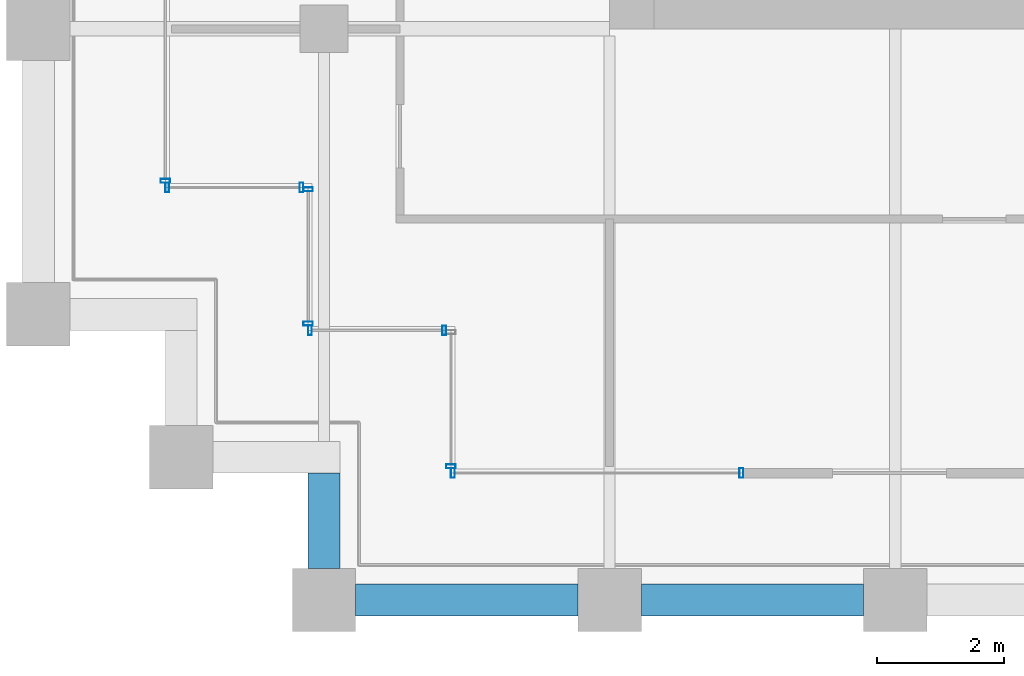
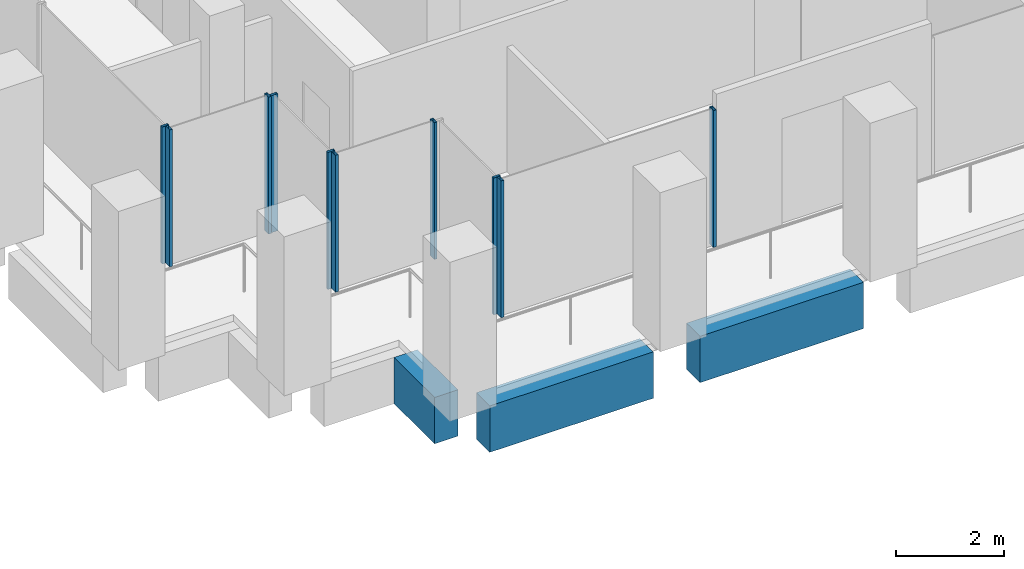
# One storey, part 28 of 46: 10 members, 3 beams, 6 elements without a shape of their own.
"""IFC4 building model written with IfcOpenShell, lengths in metres."""

from ifc_helpers import new_model, si_unit, direction, frame, origin, origin_2d, place, context, subcontext, project, spatial, rectangle, hollow_rectangle, extrude, material, material_profile, profile_set, type_object, element, aggregate, save


model = new_model("IFC4")

# Units and contexts
model_context = context("Model", 3, precision=1e-05, world=origin(), true_north=direction((0.0, 1.0)))
body_context = subcontext(model_context, "Body", "Model", "MODEL_VIEW")
ifc_project = project(units=[si_unit("LENGTHUNIT", "METRE"), si_unit("AREAUNIT", "SQUARE_METRE"), si_unit("VOLUMEUNIT", "CUBIC_METRE"), si_unit("PLANEANGLEUNIT", "RADIAN"), si_unit("MASSUNIT", "GRAM", prefix="KILO")], contexts=[model_context])

# Site, building, storey
site_placement = place(None, origin())
site = spatial("IfcSite", under=ifc_project, at=site_placement, CompositionType="ELEMENT")
building_placement = place(site_placement, origin())
building = spatial("IfcBuilding", under=site, at=building_placement, Name="Altepetl Exchange Towers", CompositionType="ELEMENT")
storey_placement = place(building_placement, frame((0.0, 0.0, 120.800048828125)))
storey = spatial("IfcBuildingStorey", under=building, at=storey_placement, Name="L29", CompositionType="ELEMENT", Elevation=120.800048828125)

# Curtain wall, member
ifc_material_1 = material(Name="Aluminium 6063-T6 glazing", Category="aluminium")
curtain_wall_type = type_object("IfcCurtainWallType", Name="Loggia glazing system", PredefinedType="NOTDEFINED", material=ifc_material_1)
curtain_wall_1_placement = place(storey_placement, origin())
curtain_wall_1 = element("IfcCurtainWall", 1, at=curtain_wall_1_placement, inside=storey, type_object=curtain_wall_type, Name="CW1 run", PredefinedType="NOTDEFINED")
ifc_material_2 = material(Name="Aluminium 6063-T6", Category="aluminium")
ifc_material_profile_1 = material_profile(ifc_material_2, hollow_rectangle(XDim=0.06005859375, YDim=0.14990234375, WallThickness=0.0029296875, at=origin_2d()), Name="Mullion 60x150 aluminium")
ifc_profile_set_1 = profile_set([ifc_material_profile_1], Name="Aluminium 6063-T6")
member_type = type_object("IfcMemberType", Name="Mullion 60x150 aluminium", PredefinedType="MULLION", material=ifc_profile_set_1)
member_1_placement = place(storey_placement, frame((96.5, 33.60498046875, 0.0), z_axis=(0.0, 0.0, 1.0), x_axis=(0.0, -1.0, 0.0)))
member_1 = element("IfcMember", 2, at=member_1_placement, type_object=member_type, Name="MU1 mullion", PredefinedType="MULLION", context=body_context, shape_type="SweptSolid", body=[
    extrude(hollow_rectangle(XDim=0.06005859375, YDim=0.14990234375, WallThickness=0.0029296875, at=origin_2d()), origin(), (0.0, 0.0, 1.0), 3.099853515625),
])
aggregate(curtain_wall_1, [member_1])

# Curtain wall, members
curtain_wall_2_placement = place(storey_placement, origin())
curtain_wall_2 = element("IfcCurtainWall", 3, at=curtain_wall_2_placement, inside=storey, type_object=curtain_wall_type, Name="CW1 run", PredefinedType="NOTDEFINED")
member_2_placement = place(storey_placement, frame((96.530029296875, 33.5, 0.0)))
member_2 = element("IfcMember", 4, at=member_2_placement, type_object=member_type, Name="MU1 mullion", PredefinedType="MULLION", context=body_context, shape_type="SweptSolid", body=[
    extrude(hollow_rectangle(XDim=0.06005859375, YDim=0.14990234375, WallThickness=0.0029296875, at=origin_2d()), origin(), (0.0, 0.0, 1.0), 3.099853515625),
])
member_3_placement = place(storey_placement, frame((98.64501953125, 33.5, 0.0)))
member_3 = element("IfcMember", 5, at=member_3_placement, type_object=member_type, Name="MU1 mullion", PredefinedType="MULLION", context=body_context, shape_type="SweptSolid", body=[
    extrude(hollow_rectangle(XDim=0.06005859375, YDim=0.14990234375, WallThickness=0.0029296875, at=origin_2d()), origin(), (0.0, 0.0, 1.0), 3.099853515625),
])
aggregate(curtain_wall_2, [member_2, member_3])

curtain_wall_3_placement = place(storey_placement, origin())
curtain_wall_3 = element("IfcCurtainWall", 6, at=curtain_wall_3_placement, inside=storey, type_object=curtain_wall_type, Name="CW1 run", PredefinedType="NOTDEFINED")
member_4_placement = place(storey_placement, frame((98.75, 33.469970703125, 0.0), z_axis=(0.0, 0.0, 1.0), x_axis=(0.0, -1.0, 0.0)))
member_4 = element("IfcMember", 7, at=member_4_placement, type_object=member_type, Name="MU1 mullion", PredefinedType="MULLION", context=body_context, shape_type="SweptSolid", body=[
    extrude(hollow_rectangle(XDim=0.06005859375, YDim=0.14990234375, WallThickness=0.0029296875, at=origin_2d()), origin(), (0.0, 0.0, 1.0), 3.099853515625),
])
member_5_placement = place(storey_placement, frame((98.75, 31.35498046875, 0.0), z_axis=(0.0, 0.0, 1.0), x_axis=(0.0, -1.0, 0.0)))
member_5 = element("IfcMember", 8, at=member_5_placement, type_object=member_type, Name="MU1 mullion", PredefinedType="MULLION", context=body_context, shape_type="SweptSolid", body=[
    extrude(hollow_rectangle(XDim=0.06005859375, YDim=0.14990234375, WallThickness=0.0029296875, at=origin_2d()), origin(), (0.0, 0.0, 1.0), 3.099853515625),
])
aggregate(curtain_wall_3, [member_4, member_5])

curtain_wall_4_placement = place(storey_placement, origin())
curtain_wall_4 = element("IfcCurtainWall", 9, at=curtain_wall_4_placement, inside=storey, type_object=curtain_wall_type, Name="CW1 run", PredefinedType="NOTDEFINED")
member_6_placement = place(storey_placement, frame((98.780029296875, 31.25, 0.0)))
member_6 = element("IfcMember", 10, at=member_6_placement, type_object=member_type, Name="MU1 mullion", PredefinedType="MULLION", context=body_context, shape_type="SweptSolid", body=[
    extrude(hollow_rectangle(XDim=0.06005859375, YDim=0.14990234375, WallThickness=0.0029296875, at=origin_2d()), origin(), (0.0, 0.0, 1.0), 3.099853515625),
])
member_7_placement = place(storey_placement, frame((100.89501953125, 31.25, 0.0)))
member_7 = element("IfcMember", 11, at=member_7_placement, type_object=member_type, Name="MU1 mullion", PredefinedType="MULLION", context=body_context, shape_type="SweptSolid", body=[
    extrude(hollow_rectangle(XDim=0.06005859375, YDim=0.14990234375, WallThickness=0.0029296875, at=origin_2d()), origin(), (0.0, 0.0, 1.0), 3.099853515625),
])
aggregate(curtain_wall_4, [member_6, member_7])

# Curtain wall, member
curtain_wall_5_placement = place(storey_placement, origin())
curtain_wall_5 = element("IfcCurtainWall", 12, at=curtain_wall_5_placement, inside=storey, type_object=curtain_wall_type, Name="CW1 run", PredefinedType="NOTDEFINED")
member_8_placement = place(storey_placement, frame((101.0, 29.10498046875, 0.0), z_axis=(0.0, 0.0, 1.0), x_axis=(0.0, -1.0, 0.0)))
member_8 = element("IfcMember", 13, at=member_8_placement, type_object=member_type, Name="MU1 mullion", PredefinedType="MULLION", context=body_context, shape_type="SweptSolid", body=[
    extrude(hollow_rectangle(XDim=0.06005859375, YDim=0.14990234375, WallThickness=0.0029296875, at=origin_2d()), origin(), (0.0, 0.0, 1.0), 3.099853515625),
])
aggregate(curtain_wall_5, [member_8])

# Curtain wall, members
curtain_wall_6_placement = place(storey_placement, origin())
curtain_wall_6 = element("IfcCurtainWall", 14, at=curtain_wall_6_placement, inside=storey, type_object=curtain_wall_type, Name="CW1 run", PredefinedType="NOTDEFINED")
member_9_placement = place(storey_placement, frame((101.030029296875, 29.0, 0.0)))
member_9 = element("IfcMember", 15, at=member_9_placement, type_object=member_type, Name="MU1 mullion", PredefinedType="MULLION", context=body_context, shape_type="SweptSolid", body=[
    extrude(hollow_rectangle(XDim=0.06005859375, YDim=0.14990234375, WallThickness=0.0029296875, at=origin_2d()), origin(), (0.0, 0.0, 1.0), 3.099853515625),
])
member_10_placement = place(storey_placement, frame((105.576171875, 29.0, 0.0)))
member_10 = element("IfcMember", 16, at=member_10_placement, type_object=member_type, Name="MU1 mullion", PredefinedType="MULLION", context=body_context, shape_type="SweptSolid", body=[
    extrude(hollow_rectangle(XDim=0.06005859375, YDim=0.14990234375, WallThickness=0.0029296875, at=origin_2d()), origin(), (0.0, 0.0, 1.0), 3.099853515625),
])
aggregate(curtain_wall_6, [member_9, member_10])

# Beams
ifc_material_3 = material(Name="Concrete C50/60 precast with tezontle facing", Category="concrete")
ifc_material_profile_2 = material_profile(ifc_material_3, rectangle(XDim=0.5, YDim=1.050048828125, at=origin_2d()), Name="500 x 1050")
ifc_profile_set_2 = profile_set([ifc_material_profile_2], Name="Concrete C50/60 precast with tezontle facing")
beam_type = type_object("IfcBeamType", Name="Spandrel beam 500x1050 tezontle", PredefinedType="SPANDREL", material=ifc_profile_set_2)
for number, where, z_axis, x_axis, name in (
    (17, (99.5, 27.0, -0.675048828125), (1.0, 0.0, 0.0), (0.0, 1.0, 0.0), "sp:B:L29:000"),
    (18, (104.0, 27.0, -0.675048828125), (1.0, 0.0, 0.0), (0.0, 1.0, 0.0), "sp:B:L29:001"),
):
    element("IfcBeam", number, at=place(storey_placement, frame(where, z_axis=z_axis, x_axis=x_axis)), inside=storey, type_object=beam_type, Name=name, PredefinedType="SPANDREL", context=body_context, shape_type="SweptSolid", body=[
        extrude(rectangle(XDim=0.5, YDim=1.050048828125, at=origin_2d()), origin(), (0.0, 0.0, 1.0), 3.5),
    ])
beam_placement = place(storey_placement, frame((99.0, 29.0, -0.675048828125), z_axis=(0.0, -1.0, 0.0), x_axis=(1.0, 0.0, 0.0)))
element("IfcBeam", 19, at=beam_placement, inside=storey, type_object=beam_type, Name="sp:B:L29:030", PredefinedType="SPANDREL", context=body_context, shape_type="SweptSolid", body=[
    extrude(rectangle(XDim=0.5, YDim=1.050048828125, at=origin_2d()), origin(), (0.0, 0.0, 1.0), 1.5),
])

save(model, "model.ifc")
